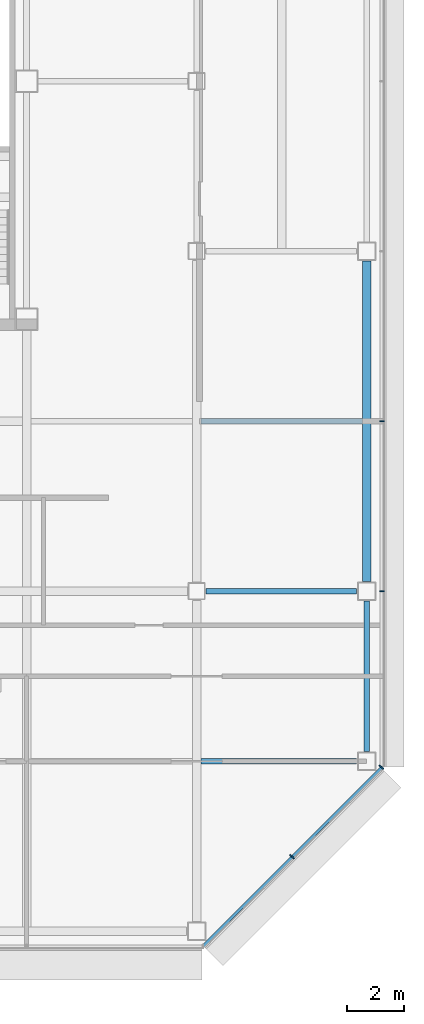
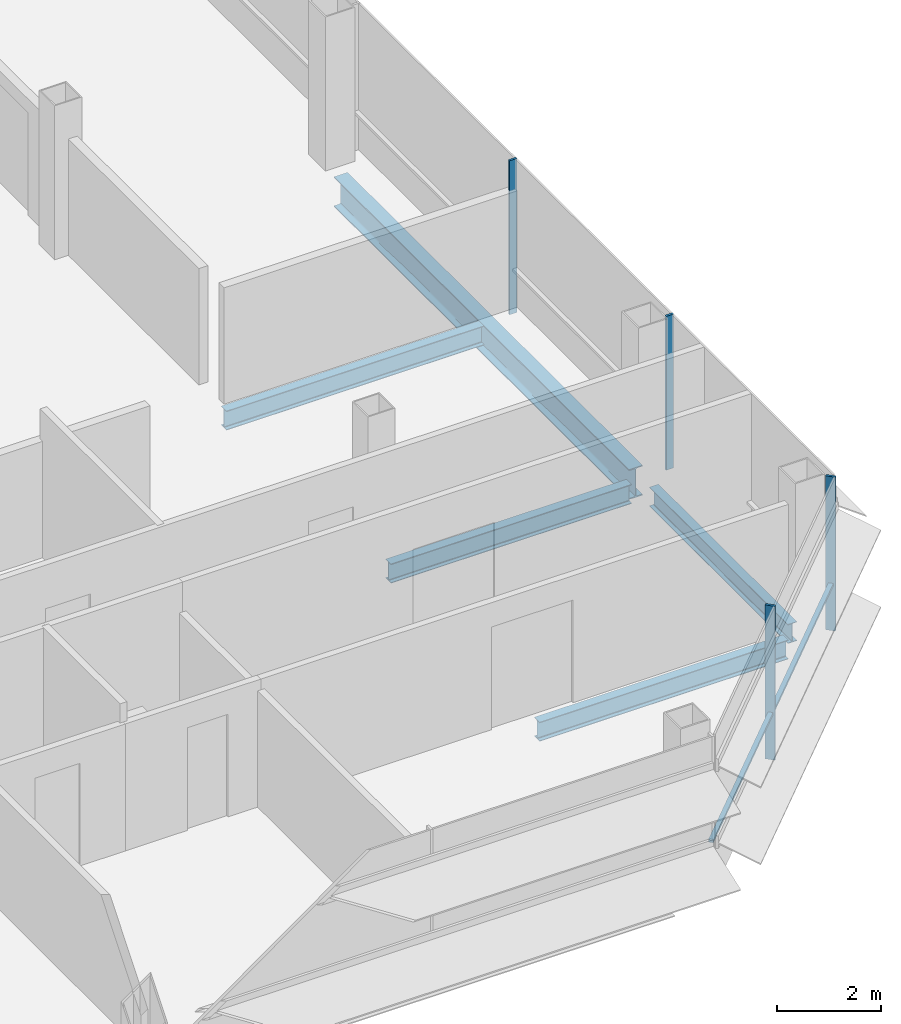
# One storey, part 17 of 29: 5 beams, 5 members, 2 elements without a shape of their own.
"""IFC4 building model written with IfcOpenShell, lengths in metres."""

from ifc_helpers import new_model, si_unit, direction, frame, origin, origin_2d, place, context, subcontext, project, spatial, rectangle, i_section, extrude, material, material_profile, profile_set, type_object, element, aggregate, save


model = new_model("IFC4")

# Units and contexts
model_context = context("Model", 3, precision=1e-05, world=origin(), true_north=direction((0.0, 1.0)))
body_context = subcontext(model_context, "Body", "Model", "MODEL_VIEW")
ifc_project = project(units=[si_unit("LENGTHUNIT", "METRE"), si_unit("AREAUNIT", "SQUARE_METRE"), si_unit("VOLUMEUNIT", "CUBIC_METRE"), si_unit("PLANEANGLEUNIT", "RADIAN"), si_unit("MASSUNIT", "GRAM", prefix="KILO")], contexts=[model_context])

# Site, building, storey
site_placement = place(None, origin())
site = spatial("IfcSite", under=ifc_project, at=site_placement, CompositionType="ELEMENT")
building_placement = place(site_placement, origin())
building = spatial("IfcBuilding", under=site, at=building_placement, Name="Sorahane Residences", CompositionType="ELEMENT")
storey_placement = place(building_placement, frame((0.0, 0.0, 199.199951171875)))
storey = spatial("IfcBuildingStorey", under=building, at=storey_placement, Name="L46", CompositionType="ELEMENT", Elevation=199.199951171875)

# Curtain wall, members
ifc_material_1 = material(Name="Dark low-e glass and black anodised aluminium", Category="aluminium")
curtain_wall_type_1 = type_object("IfcCurtainWallType", Name="Curtain wall CW-1 Typical unitised wall", PredefinedType="NOTDEFINED", material=ifc_material_1)
curtain_wall_1_placement = place(storey_placement, origin())
curtain_wall_1 = element("IfcCurtainWall", 1, at=curtain_wall_1_placement, inside=storey, type_object=curtain_wall_type_1, Name="CW-1 curtain wall L46 E1", PredefinedType="NOTDEFINED")
ifc_material_2 = material(Name="Black anodised aluminium", Category="aluminium")
ifc_material_profile_1 = material_profile(ifc_material_2, rectangle(XDim=0.159912109375, YDim=0.050048828125, at=origin_2d()), Name="Curtain wall mullion CW-1 black anodised aluminium 50x160")
ifc_profile_set_1 = profile_set([ifc_material_profile_1], Name="Black anodised aluminium")
member_type_1 = type_object("IfcMemberType", Name="Curtain wall mullion CW-1 black anodised aluminium 50x160", PredefinedType="MULLION", material=ifc_profile_set_1)
member_1_placement = place(storey_placement, frame((54.5400390625, 12.0, -0.179931640625), z_axis=(0.0, 0.0, 1.0), x_axis=(1.0, 0.0, 0.0)))
member_1 = element("IfcMember", 2, at=member_1_placement, type_object=member_type_1, Name="CW-1 mullion L46 E1.2", PredefinedType="MULLION", context=body_context, shape_type="SweptSolid", body=[
    extrude(rectangle(XDim=0.159912109375, YDim=0.050048828125, at=origin_2d()), origin(), (0.0, 0.0, 1.0), 3.60009765625),
])
member_2_placement = place(storey_placement, frame((54.5400390625, 18.0, -0.179931640625), z_axis=(0.0, 0.0, 1.0), x_axis=(1.0, 0.0, 0.0)))
member_2 = element("IfcMember", 3, at=member_2_placement, type_object=member_type_1, Name="CW-1 mullion L46 E1.3", PredefinedType="MULLION", context=body_context, shape_type="SweptSolid", body=[
    extrude(rectangle(XDim=0.159912109375, YDim=0.050048828125, at=origin_2d()), origin(), (0.0, 0.0, 1.0), 3.60009765625),
])
aggregate(curtain_wall_1, [member_1, member_2])

ifc_material_3 = material(Name="Dark low-e glass and black anodised aluminium", Category="aluminium")
curtain_wall_type_2 = type_object("IfcCurtainWallType", Name="Curtain wall CW-2 Chamfer unitised wall", PredefinedType="NOTDEFINED", material=ifc_material_3)
curtain_wall_2_placement = place(storey_placement, origin())
curtain_wall_2 = element("IfcCurtainWall", 4, at=curtain_wall_2_placement, inside=storey, type_object=curtain_wall_type_2, Name="CW-2 curtain wall L46 SE1", PredefinedType="NOTDEFINED")
ifc_material_4 = material(Name="Black anodised aluminium", Category="aluminium")
ifc_material_profile_2 = material_profile(ifc_material_4, rectangle(XDim=0.199951171875, YDim=0.050048828125, at=origin_2d()), Name="Curtain wall mullion CW-2 black anodised aluminium 50x200")
ifc_profile_set_2 = profile_set([ifc_material_profile_2], Name="Black anodised aluminium")
member_type_2 = type_object("IfcMemberType", Name="Curtain wall mullion CW-2 black anodised aluminium 50x200", PredefinedType="MULLION", material=ifc_profile_set_2)
member_3_placement = place(storey_placement, frame((51.36767578125, 2.63232421875, -0.179931640625), z_axis=(0.0, 0.0, 1.0), x_axis=(0.707106781187, -0.707106781187, 0.0)))
member_3 = element("IfcMember", 5, at=member_3_placement, type_object=member_type_2, Name="CW-2 mullion L46 SE1.2", PredefinedType="MULLION", context=body_context, shape_type="SweptSolid", body=[
    extrude(rectangle(XDim=0.199951171875, YDim=0.050048828125, at=origin_2d()), origin(), (0.0, 0.0, 1.0), 3.60009765625),
])
member_4_placement = place(storey_placement, frame((54.525634765625, 5.790283203125, -0.179931640625), z_axis=(0.0, 0.0, 1.0), x_axis=(0.707106781187, -0.707106781187, 0.0)))
member_4 = element("IfcMember", 6, at=member_4_placement, type_object=member_type_2, Name="CW-2 mullion L46 SE1.3", PredefinedType="MULLION", context=body_context, shape_type="SweptSolid", body=[
    extrude(rectangle(XDim=0.199951171875, YDim=0.050048828125, at=origin_2d()), origin(), (0.0, 0.0, 1.0), 3.60009765625),
])
ifc_material_5 = material(Name="Black anodised aluminium", Category="aluminium")
ifc_material_profile_3 = material_profile(ifc_material_5, rectangle(XDim=0.10009765625, YDim=0.06005859375, at=origin_2d()), Name="Curtain wall transom CW-2 black anodised aluminium 60x100")
ifc_profile_set_3 = profile_set([ifc_material_profile_3], Name="Black anodised aluminium")
member_type_3 = type_object("IfcMemberType", Name="Curtain wall transom CW-2 black anodised aluminium 60x100", PredefinedType="USERDEFINED", material=ifc_profile_set_3)
member_5_placement = place(storey_placement, frame((48.234375, -0.51513671875, 0.900146484375), z_axis=(0.707106781187, 0.707106781187, 0.0), x_axis=(-0.707106781187, 0.707106781187, 0.0)))
member_5 = element("IfcMember", 7, at=member_5_placement, type_object=member_type_3, Name="CW-2 transom L46 SE1", ObjectType="TRANSOM", PredefinedType="USERDEFINED", context=body_context, shape_type="SweptSolid", body=[
    extrude(rectangle(XDim=0.10009765625, YDim=0.06005859375, at=origin_2d()), origin(), (0.0, 0.0, 1.0), 8.88232421875),
])
aggregate(curtain_wall_2, [member_3, member_4, member_5])

# Beams
ifc_material_6 = material(Name="Steel Q355B", Category="steel")
ifc_material_profile_4 = material_profile(ifc_material_6, i_section(OverallWidth=0.199951171875, OverallDepth=0.449951171875, WebThickness=0.009033203125, FlangeThickness=0.013916015625, FilletRadius=0.02001953125, at=origin_2d()), Name="HN 450x200x9x14")
ifc_profile_set_4 = profile_set([ifc_material_profile_4], Name="Steel Q355B")
beam_type_1 = type_object("IfcBeamType", Name="Steel floor beam HN 450x200x9x14 Q355B", PredefinedType="BEAM", material=ifc_profile_set_4)
beam_1_placement = place(storey_placement, frame((48.324951171875, 12.0, -0.405029296875), z_axis=(1.0, 0.0, 0.0), x_axis=(0.0, 1.0, 0.0)))
element("IfcBeam", 8, at=beam_1_placement, inside=storey, type_object=beam_type_1, Name="Beam L46 010", PredefinedType="BEAM", context=body_context, shape_type="SweptSolid", body=[
    extrude(i_section(OverallWidth=0.199951171875, OverallDepth=0.449951171875, WebThickness=0.009033203125, FlangeThickness=0.013916015625, FilletRadius=0.02001953125, at=origin_2d()), origin(), (0.0, 0.0, 1.0), 5.324951171875),
])
beam_2_placement = place(storey_placement, frame((54.0, 6.35009765625, -0.405029296875), z_axis=(0.0, 1.0, 0.0), x_axis=(-1.0, 0.0, 0.0)))
element("IfcBeam", 9, at=beam_2_placement, inside=storey, type_object=beam_type_1, Name="Beam L46 062", PredefinedType="BEAM", context=body_context, shape_type="SweptSolid", body=[
    extrude(i_section(OverallWidth=0.199951171875, OverallDepth=0.449951171875, WebThickness=0.009033203125, FlangeThickness=0.013916015625, FilletRadius=0.02001953125, at=origin_2d()), origin(), (0.0, 0.0, 1.0), 5.2998046875),
])
beam_3_placement = place(storey_placement, frame((48.14990234375, 6.0, -0.405029296875), z_axis=(1.0, 0.0, 0.0), x_axis=(0.0, 1.0, 0.0)))
element("IfcBeam", 10, at=beam_3_placement, inside=storey, type_object=beam_type_1, Name="Beam L46 074", PredefinedType="BEAM", context=body_context, shape_type="SweptSolid", body=[
    extrude(i_section(OverallWidth=0.199951171875, OverallDepth=0.449951171875, WebThickness=0.009033203125, FlangeThickness=0.013916015625, FilletRadius=0.02001953125, at=origin_2d()), origin(), (0.0, 0.0, 1.0), 5.5),
])
beam_4_placement = place(storey_placement, frame((48.14990234375, 18.0, -0.405029296875), z_axis=(1.0, 0.0, 0.0), x_axis=(0.0, 1.0, 0.0)))
element("IfcBeam", 11, at=beam_4_placement, inside=storey, type_object=beam_type_1, Name="Beam L46 081", PredefinedType="BEAM", context=body_context, shape_type="SweptSolid", body=[
    extrude(i_section(OverallWidth=0.199951171875, OverallDepth=0.449951171875, WebThickness=0.009033203125, FlangeThickness=0.013916015625, FilletRadius=0.02001953125, at=origin_2d()), origin(), (0.0, 0.0, 1.0), 5.7001953125),
])
ifc_material_7 = material(Name="Steel Q355B", Category="steel")
ifc_material_profile_5 = material_profile(ifc_material_7, i_section(OverallWidth=0.300048828125, OverallDepth=0.699951171875, WebThickness=0.012939453125, FlangeThickness=0.02392578125, FilletRadius=0.028076171875, at=origin_2d()), Name="HN 700x300x13x24")
ifc_profile_set_5 = profile_set([ifc_material_profile_5], Name="Steel Q355B")
beam_type_2 = type_object("IfcBeamType", Name="Steel floor beam HN 700x300x13x24 Q355B", PredefinedType="BEAM", material=ifc_profile_set_5)
beam_5_placement = place(storey_placement, frame((54.0, 12.35009765625, -0.530029296875), z_axis=(0.0, 1.0, 0.0), x_axis=(-1.0, 0.0, 0.0)))
element("IfcBeam", 12, at=beam_5_placement, inside=storey, type_object=beam_type_2, Name="Beam L46 063", PredefinedType="BEAM", context=body_context, shape_type="SweptSolid", body=[
    extrude(i_section(OverallWidth=0.300048828125, OverallDepth=0.699951171875, WebThickness=0.012939453125, FlangeThickness=0.02392578125, FilletRadius=0.028076171875, at=origin_2d()), origin(), (0.0, 0.0, 1.0), 11.2998046875),
])

save(model, "model.ifc")
